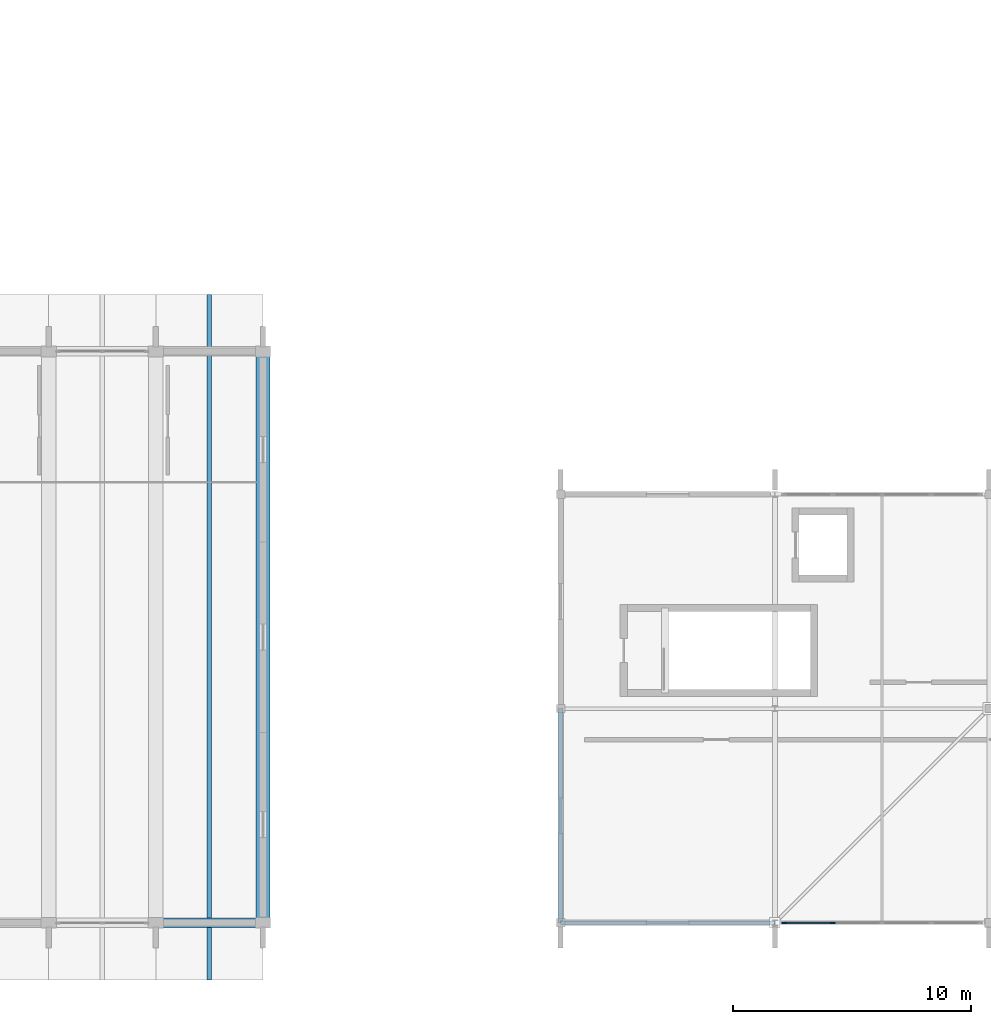
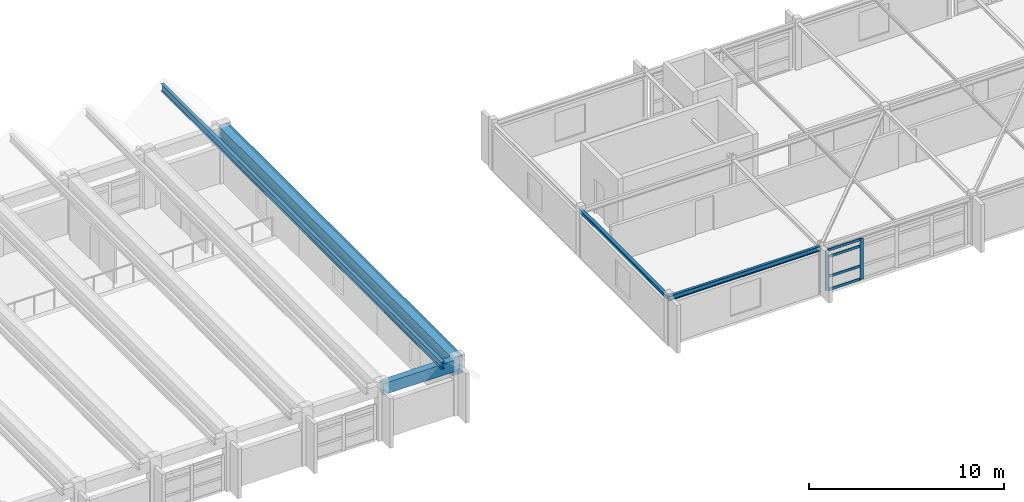
# One storey, part 16 of 83: 6 members, 5 beams, 1 element without a shape of its own.
"""IFC4 building model written with IfcOpenShell, lengths in metres."""

from ifc_helpers import new_model, si_unit, direction, frame, origin, origin_2d, place, context, subcontext, project, spatial, rectangle, i_section, extrude, material, material_profile, profile_set, type_object, element, aggregate, save


model = new_model("IFC4")

# Units and contexts
model_context = context("Model", 3, precision=1e-05, world=origin(), true_north=direction((0.0, 1.0)))
body_context = subcontext(model_context, "Body", "Model", "MODEL_VIEW")
ifc_project = project(units=[si_unit("LENGTHUNIT", "METRE"), si_unit("AREAUNIT", "SQUARE_METRE"), si_unit("VOLUMEUNIT", "CUBIC_METRE"), si_unit("PLANEANGLEUNIT", "RADIAN"), si_unit("MASSUNIT", "GRAM", prefix="KILO")], contexts=[model_context])

# Site, building, storey
site_placement = place(None, origin())
site = spatial("IfcSite", under=ifc_project, at=site_placement, CompositionType="ELEMENT")
building_placement = place(site_placement, origin())
building = spatial("IfcBuilding", under=site, at=building_placement, Name="Zimvara Arc Housing Community", CompositionType="ELEMENT")
storey_placement = place(building_placement, frame((0.0, 0.0, 4.5)))
storey = spatial("IfcBuildingStorey", under=building, at=storey_placement, Name="L01", CompositionType="ELEMENT", Elevation=4.5)

# Beams
ifc_material_1 = material(Name="Concrete C40/50", Category="concrete")
ifc_material_profile_1 = material_profile(ifc_material_1, rectangle(XDim=0.39990234375, YDim=0.699951171875, at=origin_2d()), Name="RC 400x700")
ifc_profile_set_1 = profile_set([ifc_material_profile_1], Name="Concrete C40/50")
beam_type_1 = type_object("IfcBeamType", Name="BM-RC-400x700", PredefinedType="BEAM", material=ifc_profile_set_1)
beam_1_placement = place(storey_placement, frame((95.0, 3.60009765625, 3.14990234375), z_axis=(1.0, 0.0, 0.0), x_axis=(0.0, 1.0, 0.0)))
element("IfcBeam", 1, at=beam_1_placement, inside=storey, type_object=beam_type_1, Name="bm:hall:L01:eave:y0:b6", PredefinedType="BEAM", context=body_context, shape_type="SweptSolid", body=[
    extrude(rectangle(XDim=0.39990234375, YDim=0.699951171875, at=origin_2d()), origin(), (0.0, 0.0, 1.0), 4.5),
])
ifc_material_2 = material(Name="Concrete C40/50", Category="concrete")
ifc_material_profile_2 = material_profile(ifc_material_2, rectangle(XDim=0.60009765625, YDim=1.10009765625, at=origin_2d()), Name="RC 600x1100")
ifc_profile_set_2 = profile_set([ifc_material_profile_2], Name="Concrete C40/50")
beam_type_2 = type_object("IfcBeamType", Name="BM-RC-600x1100", PredefinedType="BEAM", material=ifc_profile_set_2)
beam_2_placement = place(storey_placement, frame((99.5, 3.60009765625, 2.949951171875), z_axis=(0.0, 1.0, 0.0), x_axis=(-1.0, 0.0, 0.0)))
element("IfcBeam", 2, at=beam_2_placement, inside=storey, type_object=beam_type_2, Name="bm:hall:L01:valley:b7", PredefinedType="BEAM", context=body_context, shape_type="SweptSolid", body=[
    extrude(rectangle(XDim=0.60009765625, YDim=1.10009765625, at=origin_2d()), origin(), (0.0, 0.0, 1.0), 24.0),
])
ifc_material_3 = material(Name="Steel S355", Category="steel")
ifc_material_profile_3 = material_profile(ifc_material_3, i_section(OverallWidth=0.199951171875, OverallDepth=0.18994140625, WebThickness=0.006591796875, FlangeThickness=0.010009765625, FilletRadius=0.01806640625, at=origin_2d()), Name="HEA 200")
ifc_profile_set_3 = profile_set([ifc_material_profile_3], Name="Steel S355")
beam_type_3 = type_object("IfcBeamType", Name="BM-ST-HEA200", PredefinedType="BEAM", material=ifc_profile_set_3)
beam_3_placement = place(storey_placement, frame((112.0, 3.60009765625, 2.85498046875), z_axis=(0.0, 1.0, 0.0), x_axis=(-1.0, 0.0, 0.0)))
element("IfcBeam", 3, at=beam_3_placement, inside=storey, type_object=beam_type_3, Name="bm:nursery:L01:y:x0:b0", PredefinedType="BEAM", context=body_context, shape_type="SweptSolid", body=[
    extrude(i_section(OverallWidth=0.199951171875, OverallDepth=0.18994140625, WebThickness=0.006591796875, FlangeThickness=0.010009765625, FilletRadius=0.01806640625, at=origin_2d()), origin(), (0.0, 0.0, 1.0), 9.0),
])
ifc_material_4 = material(Name="Steel S355", Category="steel")
ifc_material_profile_4 = material_profile(ifc_material_4, i_section(OverallWidth=0.14990234375, OverallDepth=0.300048828125, WebThickness=0.007080078125, FlangeThickness=0.0107421875, FilletRadius=0.014892578125, at=origin_2d()), Name="IPE 300")
ifc_profile_set_4 = profile_set([ifc_material_profile_4], Name="Steel S355")
beam_type_4 = type_object("IfcBeamType", Name="BM-ST-IPE300", PredefinedType="BEAM", material=ifc_profile_set_4)
beam_4_placement = place(storey_placement, frame((112.0, 3.60009765625, 2.800048828125), z_axis=(1.0, 0.0, 0.0), x_axis=(0.0, 1.0, 0.0)))
element("IfcBeam", 4, at=beam_4_placement, inside=storey, type_object=beam_type_4, Name="bm:nursery:L01:x:y0:b0", PredefinedType="BEAM", context=body_context, shape_type="SweptSolid", body=[
    extrude(i_section(OverallWidth=0.14990234375, OverallDepth=0.300048828125, WebThickness=0.007080078125, FlangeThickness=0.0107421875, FilletRadius=0.014892578125, at=origin_2d()), origin(), (0.0, 0.0, 1.0), 9.0),
])
ifc_material_5 = material(Name="Steel S355", Category="steel")
ifc_material_profile_5 = material_profile(ifc_material_5, i_section(OverallWidth=0.18994140625, OverallDepth=0.449951171875, WebThickness=0.009521484375, FlangeThickness=0.0146484375, FilletRadius=0.02099609375, at=origin_2d()), Name="IPE 450")
ifc_profile_set_5 = profile_set([ifc_material_profile_5], Name="Steel S355")
beam_type_5 = type_object("IfcBeamType", Name="BM-ST-IPE450", PredefinedType="BEAM", material=ifc_profile_set_5)
beam_5_placement = place(storey_placement, frame((97.25, 1.199951171875, 5.199951171875), z_axis=(0.0, 1.0, 0.0), x_axis=(-1.0, 0.0, 0.0)))
element("IfcBeam", 5, at=beam_5_placement, inside=storey, type_object=beam_type_5, Name="bm:hall:L01:ridge:b6", PredefinedType="BEAM", context=body_context, shape_type="SweptSolid", body=[
    extrude(i_section(OverallWidth=0.18994140625, OverallDepth=0.449951171875, WebThickness=0.009521484375, FlangeThickness=0.0146484375, FilletRadius=0.02099609375, at=origin_2d()), origin(), (0.0, 0.0, 1.0), 28.800048828125),
])

# Curtain wall, members
ifc_material_6 = material(Name="Anodised Aluminium AW-6063", Category="aluminium")
curtain_wall_type = type_object("IfcCurtainWallType", Name="CW-SYS-01", PredefinedType="USERDEFINED", material=ifc_material_6)
curtain_wall_placement = place(storey_placement, origin())
curtain_wall = element("IfcCurtainWall", 6, at=curtain_wall_placement, inside=storey, type_object=curtain_wall_type, Name="cw:nursery:L01:south:b1", ObjectType="CURTAIN WALL", PredefinedType="USERDEFINED")
ifc_material_7 = material(Name="Anodised Aluminium AW-6063", Category="aluminium")
ifc_material_profile_6 = material_profile(ifc_material_7, rectangle(XDim=0.06494140625, YDim=0.195068359375, at=origin_2d()), Name="ALU 65x195")
ifc_profile_set_6 = profile_set([ifc_material_profile_6], Name="Anodised Aluminium AW-6063")
member_type_1 = type_object("IfcMemberType", Name="CWM-65x180", PredefinedType="MULLION", material=ifc_profile_set_6)
member_1_placement = place(storey_placement, frame((121.392578125, 3.60009765625, 0.0), z_axis=(0.0, 0.0, 1.0), x_axis=(0.0, 1.0, 0.0)))
member_1 = element("IfcMember", 7, at=member_1_placement, type_object=member_type_1, Name="CW01 mullion 1", PredefinedType="MULLION", context=body_context, shape_type="SweptSolid", body=[
    extrude(rectangle(XDim=0.06494140625, YDim=0.195068359375, at=origin_2d()), origin(), (0.0, 0.0, 1.0), 2.550048828125),
])
member_2_placement = place(storey_placement, frame((123.429931640625, 3.60009765625, 0.0), z_axis=(0.0, 0.0, 1.0), x_axis=(0.0, 1.0, 0.0)))
member_2 = element("IfcMember", 8, at=member_2_placement, type_object=member_type_1, Name="CW01 mullion 2", PredefinedType="MULLION", context=body_context, shape_type="SweptSolid", body=[
    extrude(rectangle(XDim=0.06494140625, YDim=0.195068359375, at=origin_2d()), origin(), (0.0, 0.0, 1.0), 2.550048828125),
])
ifc_material_8 = material(Name="Anodised Aluminium AW-6063", Category="aluminium")
ifc_material_profile_7 = material_profile(ifc_material_8, rectangle(XDim=0.06494140625, YDim=0.155029296875, at=origin_2d()), Name="ALU 65x155")
ifc_profile_set_7 = profile_set([ifc_material_profile_7], Name="Anodised Aluminium AW-6063")
member_type_2 = type_object("IfcMemberType", Name="CWT-65x140", PredefinedType="USERDEFINED", material=ifc_profile_set_7)
member_3_placement = place(storey_placement, frame((121.425048828125, 3.60009765625, 0.032470703125), z_axis=(1.0, 0.0, 0.0), x_axis=(0.0, 1.0, 0.0)))
member_3 = element("IfcMember", 9, at=member_3_placement, type_object=member_type_2, Name="CW01 transom 1.1", ObjectType="TRANSOM", PredefinedType="USERDEFINED", context=body_context, shape_type="SweptSolid", body=[
    extrude(rectangle(XDim=0.06494140625, YDim=0.155029296875, at=origin_2d()), origin(), (0.0, 0.0, 1.0), 1.972412109375),
])
member_4_placement = place(storey_placement, frame((121.425048828125, 3.60009765625, 0.85009765625), z_axis=(1.0, 0.0, 0.0), x_axis=(0.0, 1.0, 0.0)))
member_4 = element("IfcMember", 10, at=member_4_placement, type_object=member_type_2, Name="CW01 transom 1.2", ObjectType="TRANSOM", PredefinedType="USERDEFINED", context=body_context, shape_type="SweptSolid", body=[
    extrude(rectangle(XDim=0.06494140625, YDim=0.155029296875, at=origin_2d()), origin(), (0.0, 0.0, 1.0), 1.972412109375),
])
member_5_placement = place(storey_placement, frame((121.425048828125, 3.60009765625, 2.10009765625), z_axis=(1.0, 0.0, 0.0), x_axis=(0.0, 1.0, 0.0)))
member_5 = element("IfcMember", 11, at=member_5_placement, type_object=member_type_2, Name="CW01 transom 1.3", ObjectType="TRANSOM", PredefinedType="USERDEFINED", context=body_context, shape_type="SweptSolid", body=[
    extrude(rectangle(XDim=0.06494140625, YDim=0.155029296875, at=origin_2d()), origin(), (0.0, 0.0, 1.0), 1.972412109375),
])
member_6_placement = place(storey_placement, frame((121.425048828125, 3.60009765625, 2.517578125), z_axis=(1.0, 0.0, 0.0), x_axis=(0.0, 1.0, 0.0)))
member_6 = element("IfcMember", 12, at=member_6_placement, type_object=member_type_2, Name="CW01 transom 1.4", ObjectType="TRANSOM", PredefinedType="USERDEFINED", context=body_context, shape_type="SweptSolid", body=[
    extrude(rectangle(XDim=0.06494140625, YDim=0.155029296875, at=origin_2d()), origin(), (0.0, 0.0, 1.0), 1.972412109375),
])
aggregate(curtain_wall, [member_1, member_2, member_3, member_4, member_5, member_6])

save(model, "model.ifc")
